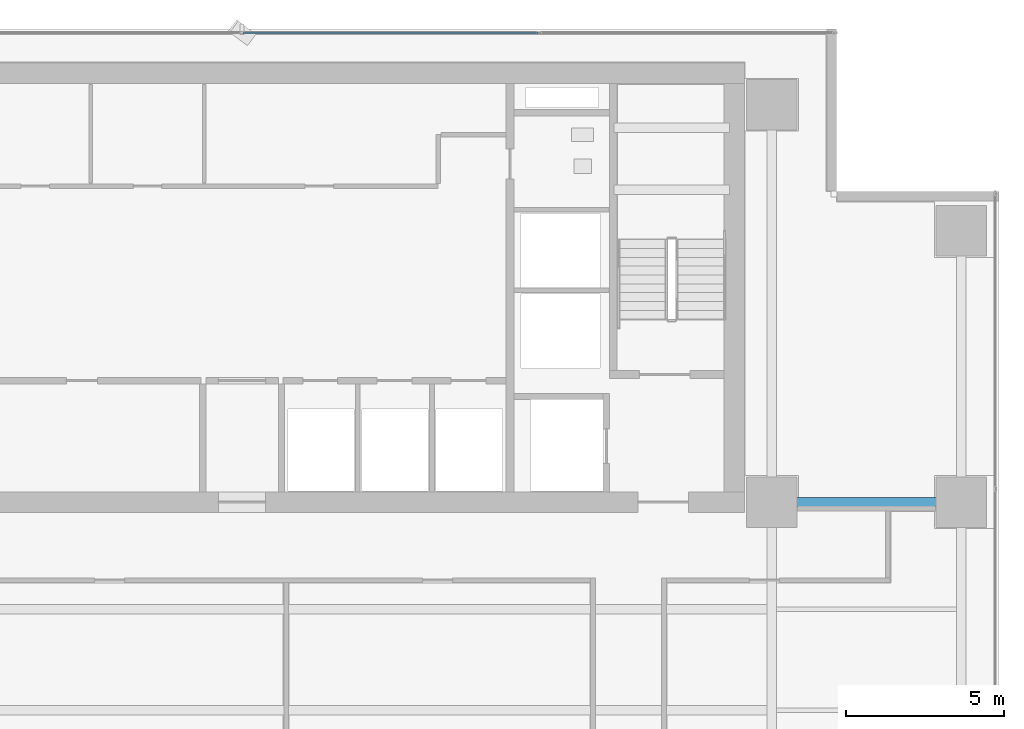
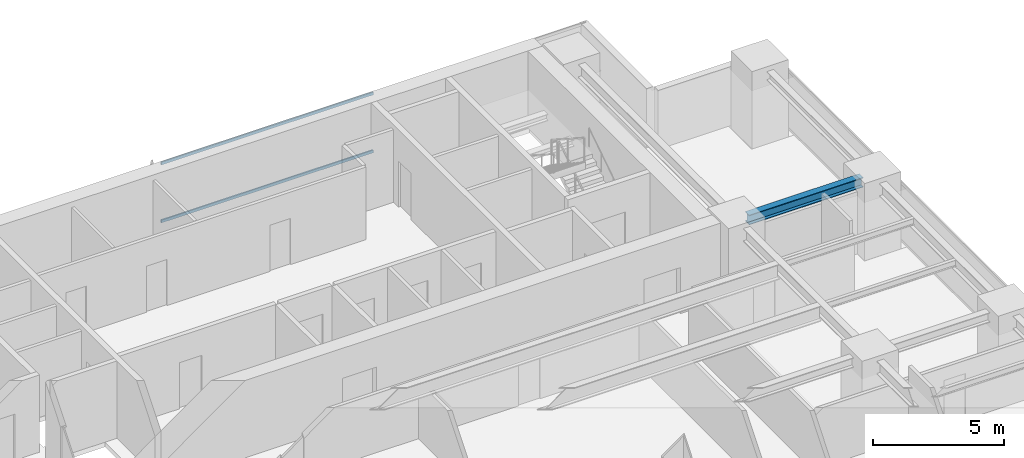
# One storey, part 17 of 28: 2 members, 1 beam, 1 element without a shape of its own.
"""IFC4 building model written with IfcOpenShell, lengths in metres."""

from ifc_helpers import new_model, si_unit, direction, frame, origin, origin_2d, place, context, subcontext, project, spatial, hollow_rectangle, i_section, extrude, source, transform, mapped, material, layer, layer_set, material_profile, profile_set, type_object, element, aggregate, save


model = new_model("IFC4")

# Units and contexts
model_context = context("Model", 3, precision=1e-05, world=origin(), true_north=direction((0.0, 1.0)))
body_context = subcontext(model_context, "Body", "Model", "MODEL_VIEW")
ifc_project = project(units=[si_unit("LENGTHUNIT", "METRE"), si_unit("AREAUNIT", "SQUARE_METRE"), si_unit("VOLUMEUNIT", "CUBIC_METRE"), si_unit("PLANEANGLEUNIT", "RADIAN"), si_unit("MASSUNIT", "GRAM", prefix="KILO")], contexts=[model_context])

# Site, building, storey
site_placement = place(None, origin())
site = spatial("IfcSite", under=ifc_project, at=site_placement, CompositionType="ELEMENT")
building_placement = place(site_placement, origin())
building = spatial("IfcBuilding", under=site, at=building_placement, Name="Sumidabori Civic Tower", CompositionType="ELEMENT")
storey_placement = place(building_placement, frame((0.0, 0.0, 149.60009765625)))
storey = spatial("IfcBuildingStorey", under=building, at=storey_placement, Name="L38", CompositionType="ELEMENT", Elevation=149.60009765625)

# Beam
ifc_material_1 = material(Name="Steel SN490", Category="steel")
ifc_material_profile_1 = material_profile(ifc_material_1, i_section(OverallWidth=0.300048828125, OverallDepth=0.449951171875, WebThickness=0.013916015625, FlangeThickness=0.02587890625, at=origin_2d()), Name="HE 450 B")
ifc_profile_set_1 = profile_set([ifc_material_profile_1], Name="Steel SN490")
beam_type = type_object("IfcBeamType", Name="BM-GIRD-450", PredefinedType="BEAM", material=ifc_profile_set_1)
shared_shape_1 = source(origin(), body_context, "Body", "SweptSolid", [
    extrude(i_section(OverallWidth=0.300048828125, OverallDepth=0.449951171875, WebThickness=0.013916015625, FlangeThickness=0.02587890625, at=origin_2d()), origin(), (0.0, 0.0, 1.0), 5.0400390625),
])
beam_placement = place(storey_placement, frame((17.280029296875, 10.199951171875, 3.15478515625), z_axis=(1.0, 0.0, 0.0), x_axis=(0.0, 1.0, 0.0)))
element("IfcBeam", 1, at=beam_placement, inside=storey, type_object=beam_type, Name="Primary Girder L38 GX-18", PredefinedType="BEAM", context=body_context, shape_type="MappedRepresentation", body=[
    mapped(shared_shape_1, transform((0.0, 0.0, 0.0), x_axis=(1.0, 0.0, 0.0), y_axis=(0.0, 1.0, 0.0), z_axis=(0.0, 0.0, 1.0), scale=1.0)),
])

# Curtain wall, members
ifc_material_2 = material(Name="Anodised Bronze Aluminium AW-6063-T6", Category="aluminium")
ifc_layer = layer(ifc_material_2, 0.179931640625, Name="Anodised Bronze Aluminium AW-6063-T6")
ifc_layer_set = layer_set([ifc_layer], Name="Anodised Bronze Aluminium AW-6063-T6")
curtain_wall_type = type_object("IfcCurtainWallType", Name="CW-SYS-3", PredefinedType="NOTDEFINED", material=ifc_layer_set)
curtain_wall_placement = place(storey_placement, origin())
curtain_wall = element("IfcCurtainWall", 2, at=curtain_wall_placement, inside=storey, type_object=curtain_wall_type, Name="Curtain Wall CW:L38:R07", PredefinedType="NOTDEFINED")
ifc_material_profile_2 = material_profile(ifc_material_2, hollow_rectangle(XDim=0.06005859375, YDim=0.1298828125, WallThickness=0.0048828125, at=origin_2d()), Name="ALU TRANSOM 130x60")
ifc_profile_set_2 = profile_set([ifc_material_profile_2], Name="Anodised Bronze Aluminium AW-6063-T6")
member_type = type_object("IfcMemberType", Name="CW-TRN-130", PredefinedType="USERDEFINED", material=ifc_profile_set_2)
shared_shape_2 = source(origin(), body_context, "Body", "SweptSolid", [
    extrude(hollow_rectangle(XDim=0.06005859375, YDim=0.1298828125, WallThickness=0.0048828125, at=origin_2d()), origin(), (0.0, 0.0, 1.0), 9.344970703125),
])
member_1_placement = place(storey_placement, frame((9.37744140625, 25.080078125, 0.02978515625), z_axis=(-1.0, 0.0, 0.0), x_axis=(0.0, -1.0, 0.0)))
member_1 = element("IfcMember", 3, at=member_1_placement, type_object=member_type, Name="CW-3 transom 2.1", ObjectType="TRANSOM", PredefinedType="USERDEFINED", context=body_context, shape_type="MappedRepresentation", body=[
    mapped(shared_shape_2, transform((0.0, 0.0, 0.0), x_axis=(1.0, 0.0, 0.0), y_axis=(0.0, 1.0, 0.0), z_axis=(0.0, 0.0, 1.0), scale=1.0)),
])
member_2_placement = place(storey_placement, frame((9.37744140625, 25.080078125, 2.72998046875), z_axis=(-1.0, 0.0, 0.0), x_axis=(0.0, -1.0, 0.0)))
member_2 = element("IfcMember", 4, at=member_2_placement, type_object=member_type, Name="CW-3 transom 2.2", ObjectType="TRANSOM", PredefinedType="USERDEFINED", context=body_context, shape_type="MappedRepresentation", body=[
    mapped(shared_shape_2, transform((0.0, 0.0, 0.0), x_axis=(1.0, 0.0, 0.0), y_axis=(0.0, 1.0, 0.0), z_axis=(0.0, 0.0, 1.0), scale=1.0)),
])
aggregate(curtain_wall, [member_1, member_2])

save(model, "model.ifc")
